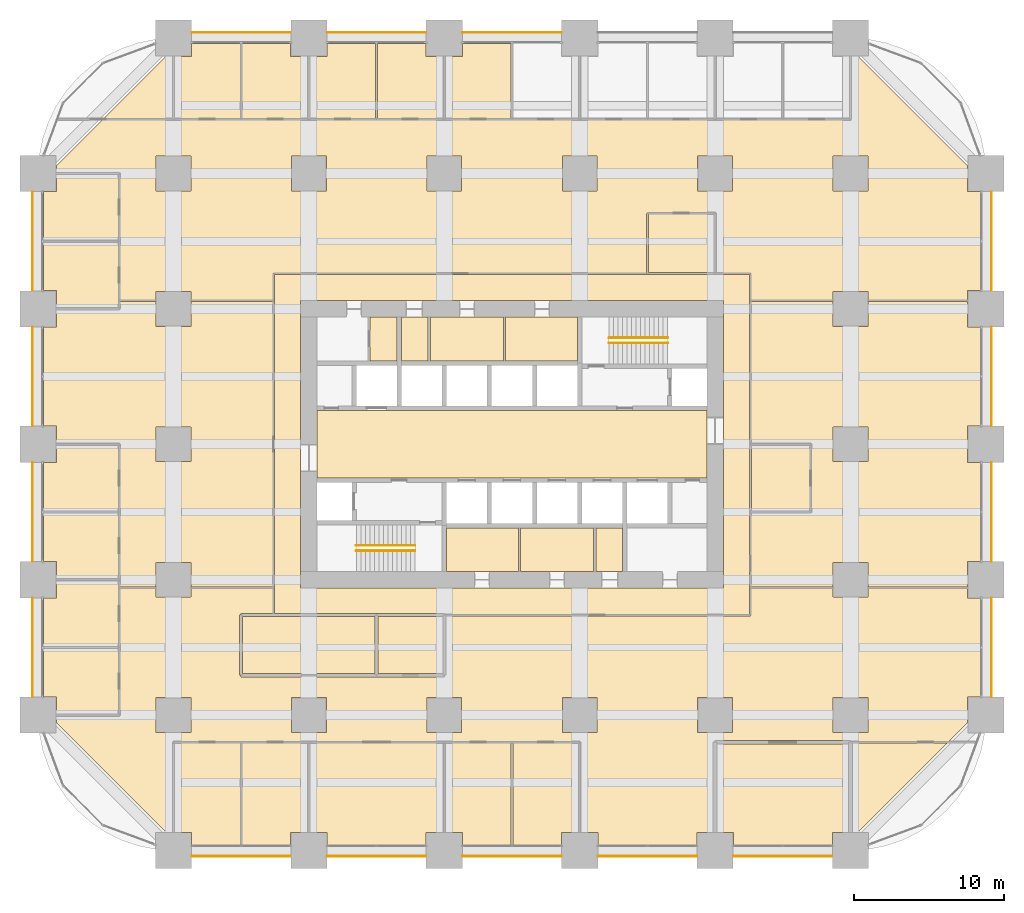
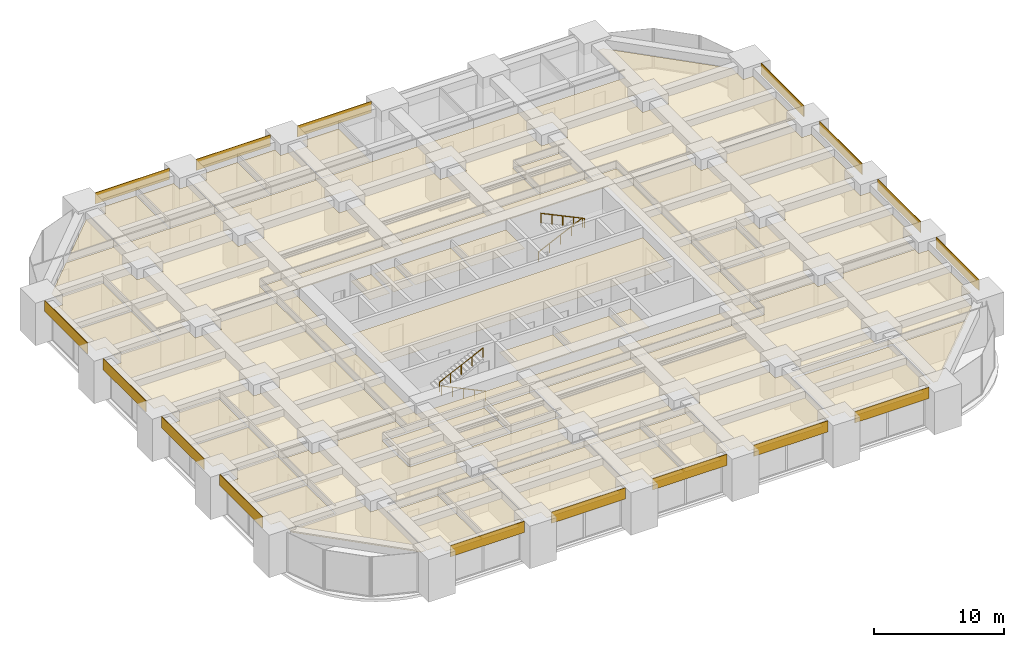
# One storey, part 43 of 44: 52 coverings, 4 railings.
"""IFC4 building model written with IfcOpenShell, lengths in metres."""

from ifc_helpers import new_model, si_unit, direction, frame, frame_2d, origin, origin_2d, place, context, subcontext, project, spatial, polyline, rectangle, circle, outline, extrude, material, layer, layer_set, type_object, element, save


model = new_model("IFC4")

# Units and contexts
model_context = context("Model", 3, precision=1e-05, world=origin(), true_north=direction((0.0, 1.0)))
body_context = subcontext(model_context, "Body", "Model", "MODEL_VIEW")
ifc_project = project(units=[si_unit("LENGTHUNIT", "METRE"), si_unit("AREAUNIT", "SQUARE_METRE"), si_unit("VOLUMEUNIT", "CUBIC_METRE"), si_unit("PLANEANGLEUNIT", "RADIAN"), si_unit("MASSUNIT", "GRAM", prefix="KILO")], contexts=[model_context])

# Site, building, storey
site_placement = place(None, origin())
site = spatial("IfcSite", under=ifc_project, at=site_placement, CompositionType="ELEMENT")
building_placement = place(site_placement, origin())
building = spatial("IfcBuilding", under=site, at=building_placement, Name="Zorevar Civic Tower", CompositionType="ELEMENT")
storey_placement = place(building_placement, frame((0.0, 0.0, 35.800048828125)))
storey = spatial("IfcBuildingStorey", under=building, at=storey_placement, Name="L08", CompositionType="ELEMENT", Elevation=35.800048828125)

# Railings
ifc_material_1 = material(Name="Black steel handrail", Category="steel")
railing_type = type_object("IfcRailingType", Name="Handrail HR1 900", PredefinedType="HANDRAIL", material=ifc_material_1)
railing_1_placement = place(storey_placement, frame((25.050048828125, 19.925048828125, 0.142822265625)))
element("IfcRailing", 1, at=railing_1_placement, inside=storey, type_object=railing_type, Name="Handrail HR1 ST1 L08", PredefinedType="HANDRAIL", context=body_context, shape_type="SweptSolid", body=[
    extrude(circle(Radius=0.02392578125, at=origin_2d()), frame((0.0, 0.0, 0.8759765625), z_axis=(-0.902863652845, 0.0, 0.429926998885), x_axis=(0.0, -1.0, 0.0)), (0.0, 0.0, 1.0), 4.31982421875),
    extrude(circle(Radius=0.02099609375, at=origin_2d()), origin(), (0.0, 0.0, 1.0), 0.851806640625),
    extrude(circle(Radius=0.02099609375, at=origin_2d()), frame((-0.97509765625, 0.0, 0.46435546875)), (0.0, 0.0, 1.0), 0.851806640625),
    extrude(circle(Radius=0.02099609375, at=origin_2d()), frame((-1.9501953125, 0.0, 0.9287109375)), (0.0, 0.0, 1.0), 0.851806640625),
    extrude(circle(Radius=0.02099609375, at=origin_2d()), frame((-2.925048828125, 0.0, 1.392822265625)), (0.0, 0.0, 1.0), 0.851806640625),
    extrude(circle(Radius=0.02099609375, at=origin_2d()), frame((-3.900146484375, 0.0, 1.857177734375)), (0.0, 0.0, 1.0), 0.851806640625),
])
for number, where, name in (
    (2, (21.14990234375, 20.27490234375, 2.142822265625), "Handrail HR1 ST1 L08"),
    (3, (37.949951171875, 34.074951171875, 0.142822265625), "Handrail HR1 ST2 L08"),
):
    element("IfcRailing", number, at=place(storey_placement, frame(where)), inside=storey, type_object=railing_type, Name=name, PredefinedType="HANDRAIL", context=body_context, shape_type="SweptSolid", body=[
        extrude(circle(Radius=0.02392578125, at=origin_2d()), frame((0.0, 0.0, 0.8759765625), z_axis=(0.902863652845, 0.0, 0.429926998885), x_axis=(0.0, 1.0, 0.0)), (0.0, 0.0, 1.0), 4.31982421875),
        extrude(circle(Radius=0.02099609375, at=origin_2d()), origin(), (0.0, 0.0, 1.0), 0.851806640625),
        extrude(circle(Radius=0.02099609375, at=origin_2d()), frame((0.97509765625, 0.0, 0.46435546875)), (0.0, 0.0, 1.0), 0.851806640625),
        extrude(circle(Radius=0.02099609375, at=origin_2d()), frame((1.9501953125, 0.0, 0.9287109375)), (0.0, 0.0, 1.0), 0.851806640625),
        extrude(circle(Radius=0.02099609375, at=origin_2d()), frame((2.925048828125, 0.0, 1.392822265625)), (0.0, 0.0, 1.0), 0.851806640625),
        extrude(circle(Radius=0.02099609375, at=origin_2d()), frame((3.900146484375, 0.0, 1.857177734375)), (0.0, 0.0, 1.0), 0.851806640625),
    ])
railing_2_placement = place(storey_placement, frame((41.85009765625, 33.72509765625, 2.142822265625)))
element("IfcRailing", 4, at=railing_2_placement, inside=storey, type_object=railing_type, Name="Handrail HR1 ST2 L08", PredefinedType="HANDRAIL", context=body_context, shape_type="SweptSolid", body=[
    extrude(circle(Radius=0.02392578125, at=origin_2d()), frame((0.0, 0.0, 0.8759765625), z_axis=(-0.902863652845, 0.0, 0.429926998885), x_axis=(0.0, -1.0, 0.0)), (0.0, 0.0, 1.0), 4.31982421875),
    extrude(circle(Radius=0.02099609375, at=origin_2d()), origin(), (0.0, 0.0, 1.0), 0.851806640625),
    extrude(circle(Radius=0.02099609375, at=origin_2d()), frame((-0.97509765625, 0.0, 0.46435546875)), (0.0, 0.0, 1.0), 0.851806640625),
    extrude(circle(Radius=0.02099609375, at=origin_2d()), frame((-1.9501953125, 0.0, 0.9287109375)), (0.0, 0.0, 1.0), 0.851806640625),
    extrude(circle(Radius=0.02099609375, at=origin_2d()), frame((-2.925048828125, 0.0, 1.392822265625)), (0.0, 0.0, 1.0), 0.851806640625),
    extrude(circle(Radius=0.02099609375, at=origin_2d()), frame((-3.900146484375, 0.0, 1.857177734375)), (0.0, 0.0, 1.0), 0.851806640625),
])

# Coverings
ifc_material_2 = material(Name="Moisture-resistant gypsum board")
ifc_layer_1 = layer(ifc_material_2, 0.012451171875)
ifc_layer_set_1 = layer_set([ifc_layer_1], Name="Moisture-resistant ceiling SC3")
covering_type_1 = type_object("IfcCoveringType", Name="Moisture-resistant ceiling SC3", PredefinedType="CEILING", material=ifc_layer_set_1)
covering_1_placement = place(storey_placement, frame((0.0, 0.0, 3.0)))
element("IfcCovering", 5, at=covering_1_placement, inside=storey, type_object=covering_type_1, Name="Ceiling L08-05", PredefinedType="CEILING", context=body_context, shape_type="SweptSolid", body=[
    extrude(outline(polyline([(31.925048828125, 18.550048828125), (31.925048828125, 21.449951171875), (27.14990234375, 21.449951171875), (27.14990234375, 18.550048828125), (31.925048828125, 18.550048828125)])), origin(), (0.0, 0.0, 1.0), 0.012451171875),
])
covering_2_placement = place(storey_placement, frame((0.0, 0.0, 3.0)))
element("IfcCovering", 6, at=covering_2_placement, inside=storey, type_object=covering_type_1, Name="Ceiling L08-06", PredefinedType="CEILING", context=body_context, shape_type="SweptSolid", body=[
    extrude(outline(polyline([(36.925048828125, 18.550048828125), (36.925048828125, 21.449951171875), (32.074951171875, 21.449951171875), (32.074951171875, 18.550048828125), (36.925048828125, 18.550048828125)])), origin(), (0.0, 0.0, 1.0), 0.012451171875),
])
covering_3_placement = place(storey_placement, frame((0.0, 0.0, 3.0)))
element("IfcCovering", 7, at=covering_3_placement, inside=storey, type_object=covering_type_1, Name="Ceiling L08-07", PredefinedType="CEILING", context=body_context, shape_type="SweptSolid", body=[
    extrude(outline(polyline([(38.85009765625, 18.550048828125), (38.85009765625, 21.449951171875), (37.074951171875, 21.449951171875), (37.074951171875, 18.550048828125), (38.85009765625, 18.550048828125)])), origin(), (0.0, 0.0, 1.0), 0.012451171875),
])
covering_4_placement = place(storey_placement, frame((0.0, 0.0, 3.0)))
element("IfcCovering", 8, at=covering_4_placement, inside=storey, type_object=covering_type_1, Name="Ceiling L08-08", PredefinedType="CEILING", context=body_context, shape_type="SweptSolid", body=[
    extrude(outline(polyline([(35.85009765625, 32.550048828125), (35.85009765625, 35.449951171875), (31.074951171875, 35.449951171875), (31.074951171875, 32.550048828125), (35.85009765625, 32.550048828125)])), origin(), (0.0, 0.0, 1.0), 0.012451171875),
])
covering_5_placement = place(storey_placement, frame((0.0, 0.0, 3.0)))
element("IfcCovering", 9, at=covering_5_placement, inside=storey, type_object=covering_type_1, Name="Ceiling L08-09", PredefinedType="CEILING", context=body_context, shape_type="SweptSolid", body=[
    extrude(outline(polyline([(30.925048828125, 32.550048828125), (30.925048828125, 35.449951171875), (26.074951171875, 35.449951171875), (26.074951171875, 32.550048828125), (30.925048828125, 32.550048828125)])), origin(), (0.0, 0.0, 1.0), 0.012451171875),
])
covering_6_placement = place(storey_placement, frame((0.0, 0.0, 3.0)))
element("IfcCovering", 10, at=covering_6_placement, inside=storey, type_object=covering_type_1, Name="Ceiling L08-10", PredefinedType="CEILING", context=body_context, shape_type="SweptSolid", body=[
    extrude(outline(polyline([(25.925048828125, 32.550048828125), (25.925048828125, 35.449951171875), (24.14990234375, 35.449951171875), (24.14990234375, 32.550048828125), (25.925048828125, 32.550048828125)])), origin(), (0.0, 0.0, 1.0), 0.012451171875),
])
ifc_material_3 = material(Name="Black anodised aluminium spandrel panel", Category="aluminium")
ifc_layer_2 = layer(ifc_material_3, 0.050048828125)
ifc_layer_set_2 = layer_set([ifc_layer_2], Name="Spandrel cladding SP1")
covering_type_2 = type_object("IfcCoveringType", Name="Spandrel cladding SP1", PredefinedType="CLADDING", material=ifc_layer_set_2)
for number, where, z_axis, x_axis, name in (
    (11, (10.199951171875, -0.375, 2.949951171875), (0.0, 0.0, 1.0), (1.0, 0.0, 0.0), "Spandrel cladding L09"),
    (12, (19.199951171875, -0.375, 2.949951171875), (0.0, 0.0, 1.0), (1.0, 0.0, 0.0), "Spandrel cladding L09"),
    (13, (28.199951171875, -0.375, 2.949951171875), (0.0, 0.0, 1.0), (1.0, 0.0, 0.0), "Spandrel cladding L09"),
    (14, (37.199951171875, -0.375, 2.949951171875), (0.0, 0.0, 1.0), (1.0, 0.0, 0.0), "Spandrel cladding L09"),
    (15, (46.199951171875, -0.375, 2.949951171875), (0.0, 0.0, 1.0), (1.0, 0.0, 0.0), "Spandrel cladding L09"),
    (16, (10.199951171875, 54.375, 2.949951171875), (0.0, 0.0, 1.0), (1.0, 0.0, 0.0), "Spandrel cladding L09"),
    (17, (19.199951171875, 54.375, 2.949951171875), (0.0, 0.0, 1.0), (1.0, 0.0, 0.0), "Spandrel cladding L09"),
    (18, (28.199951171875, 54.375, 2.949951171875), (0.0, 0.0, 1.0), (1.0, 0.0, 0.0), "Spandrel cladding L09"),
    (19, (-0.375, 10.199951171875, 2.949951171875), (0.0, 0.0, 1.0), (0.0, 1.0, 0.0), "Spandrel cladding L09"),
    (20, (-0.375, 19.199951171875, 2.949951171875), (0.0, 0.0, 1.0), (0.0, 1.0, 0.0), "Spandrel cladding L09"),
    (21, (-0.375, 28.199951171875, 2.949951171875), (0.0, 0.0, 1.0), (0.0, 1.0, 0.0), "Spandrel cladding L09"),
    (22, (-0.375, 37.199951171875, 2.949951171875), (0.0, 0.0, 1.0), (0.0, 1.0, 0.0), "Spandrel cladding L09"),
    (23, (63.375, 10.199951171875, 2.949951171875), (0.0, 0.0, 1.0), (0.0, 1.0, 0.0), "Spandrel cladding L09"),
    (24, (63.375, 19.199951171875, 2.949951171875), (0.0, 0.0, 1.0), (0.0, 1.0, 0.0), "Spandrel cladding L09"),
    (25, (63.375, 28.199951171875, 2.949951171875), (0.0, 0.0, 1.0), (0.0, 1.0, 0.0), "Spandrel cladding L09"),
    (26, (63.375, 37.199951171875, 2.949951171875), (0.0, 0.0, 1.0), (0.0, 1.0, 0.0), "Spandrel cladding L09"),
):
    element("IfcCovering", number, at=place(storey_placement, frame(where, z_axis=z_axis, x_axis=x_axis)), inside=storey, type_object=covering_type_2, Name=name, PredefinedType="CLADDING", context=body_context, shape_type="SweptSolid", body=[
        extrude(rectangle(XDim=6.60009765625, YDim=0.050048828125, at=frame_2d((3.300048828125, 0.0))), origin(), (0.0, 0.0, 1.0), 1.050048828125),
    ])
ifc_material_4 = material(Name="Mineral fibre tiles on a concealed grid")
ifc_layer_3 = layer(ifc_material_4, 0.02001953125)
ifc_layer_set_3 = layer_set([ifc_layer_3], Name="Suspended ceiling SC1")
covering_type_3 = type_object("IfcCoveringType", Name="Suspended ceiling SC1", PredefinedType="CEILING", material=ifc_layer_set_3)
covering_7_placement = place(storey_placement, frame((0.0, 0.0, 3.0)))
element("IfcCovering", 27, at=covering_7_placement, inside=storey, type_object=covering_type_3, Name="Ceiling L08-12", PredefinedType="CEILING", context=body_context, shape_type="SweptSolid", body=[
    extrude(outline(polyline([(23.85009765625, 32.550048828125), (23.85009765625, 35.449951171875), (22.06005859375, 35.449951171875), (22.06005859375, 32.550048828125), (23.85009765625, 32.550048828125)])), origin(), (0.0, 0.0, 1.0), 0.02001953125),
])
covering_8_placement = place(storey_placement, frame((0.0, 0.0, 3.0)))
element("IfcCovering", 28, at=covering_8_placement, inside=storey, type_object=covering_type_3, Name="Ceiling L08-16", PredefinedType="CEILING", context=body_context, shape_type="SweptSolid", body=[
    extrude(outline(polyline([(44.449951171875, 24.75), (44.449951171875, 29.25), (18.550048828125, 29.25), (18.550048828125, 24.75), (44.449951171875, 24.75)])), origin(), (0.0, 0.0, 1.0), 0.02001953125),
])
covering_9_placement = place(storey_placement, frame((0.0, 0.0, 3.0)))
element("IfcCovering", 29, at=covering_9_placement, inside=storey, type_object=covering_type_3, Name="Ceiling L08-17", PredefinedType="CEILING", context=body_context, shape_type="SweptSolid", body=[
    extrude(outline(polyline([(13.43994140625, 7.139892578125), (13.43994140625, 0.35009765625), (10.2099609375, 0.35009765625), (10.2099609375, 1.2099609375), (9.06005859375, 1.2099609375), (9.06005859375, 7.139892578125), (13.43994140625, 7.139892578125)])), origin(), (0.0, 0.0, 1.0), 0.02001953125),
])
covering_10_placement = place(storey_placement, frame((0.0, 0.0, 3.0)))
element("IfcCovering", 30, at=covering_10_placement, inside=storey, type_object=covering_type_3, Name="Ceiling L08-18", PredefinedType="CEILING", context=body_context, shape_type="SweptSolid", body=[
    extrude(outline(polyline([(17.93994140625, 7.139892578125), (17.93994140625, 1.2099609375), (16.7900390625, 1.2099609375), (16.7900390625, 0.35009765625), (13.56005859375, 0.35009765625), (13.56005859375, 7.139892578125), (17.93994140625, 7.139892578125)])), origin(), (0.0, 0.0, 1.0), 0.02001953125),
])
covering_11_placement = place(storey_placement, frame((0.0, 0.0, 3.0)))
element("IfcCovering", 31, at=covering_11_placement, inside=storey, type_object=covering_type_3, Name="Ceiling L08-19", PredefinedType="CEILING", context=body_context, shape_type="SweptSolid", body=[
    extrude(outline(polyline([(19.2099609375, 0.35009765625), (19.2099609375, 1.2099609375), (18.06005859375, 1.2099609375), (18.06005859375, 7.139892578125), (26.93994140625, 7.139892578125), (26.93994140625, 1.2099609375), (25.7900390625, 1.2099609375), (25.7900390625, 0.35009765625), (19.2099609375, 0.35009765625)])), origin(), (0.0, 0.0, 1.0), 0.02001953125),
])
covering_12_placement = place(storey_placement, frame((0.0, 0.0, 3.0)))
element("IfcCovering", 32, at=covering_12_placement, inside=storey, type_object=covering_type_3, Name="Ceiling L08-20", PredefinedType="CEILING", context=body_context, shape_type="SweptSolid", body=[
    extrude(outline(polyline([(31.43994140625, 7.139892578125), (31.43994140625, 0.35009765625), (28.2099609375, 0.35009765625), (28.2099609375, 1.2099609375), (27.06005859375, 1.2099609375), (27.06005859375, 7.139892578125), (31.43994140625, 7.139892578125)])), origin(), (0.0, 0.0, 1.0), 0.02001953125),
])
covering_13_placement = place(storey_placement, frame((0.0, 0.0, 3.0)))
element("IfcCovering", 33, at=covering_13_placement, inside=storey, type_object=covering_type_3, Name="Ceiling L08-21", PredefinedType="CEILING", context=body_context, shape_type="SweptSolid", body=[
    extrude(outline(polyline([(35.93994140625, 7.139892578125), (35.93994140625, 1.2099609375), (34.7900390625, 1.2099609375), (34.7900390625, 0.35009765625), (31.56005859375, 0.35009765625), (31.56005859375, 7.139892578125), (35.93994140625, 7.139892578125)])), origin(), (0.0, 0.0, 1.0), 0.02001953125),
])
covering_14_placement = place(storey_placement, frame((0.0, 0.0, 3.0)))
element("IfcCovering", 34, at=covering_14_placement, inside=storey, type_object=covering_type_3, Name="Ceiling L08-22", PredefinedType="CEILING", context=body_context, shape_type="SweptSolid", body=[
    extrude(outline(polyline([(46.2099609375, 0.35009765625), (46.2099609375, 1.2099609375), (45.125, 1.2099609375), (45.125, 7.074951171875), (53.875, 7.074951171875), (53.875, 1.2099609375), (52.7900390625, 1.2099609375), (52.7900390625, 0.35009765625), (46.2099609375, 0.35009765625)])), origin(), (0.0, 0.0, 1.0), 0.02001953125),
])
covering_15_placement = place(storey_placement, frame((0.0, 0.0, 3.0)))
element("IfcCovering", 35, at=covering_15_placement, inside=storey, type_object=covering_type_3, Name="Ceiling L08-23", PredefinedType="CEILING", context=body_context, shape_type="SweptSolid", body=[
    extrude(outline(polyline([(13.60009765625, 11.75), (13.60009765625, 15.550048828125), (22.39990234375, 15.550048828125), (22.39990234375, 11.75), (13.60009765625, 11.75)])), origin(), (0.0, 0.0, 1.0), 0.02001953125),
])
covering_16_placement = place(storey_placement, frame((0.0, 0.0, 3.0)))
element("IfcCovering", 36, at=covering_16_placement, inside=storey, type_object=covering_type_3, Name="Ceiling L08-24", PredefinedType="CEILING", context=body_context, shape_type="SweptSolid", body=[
    extrude(outline(polyline([(22.60009765625, 11.75), (22.60009765625, 15.550048828125), (26.89990234375, 15.550048828125), (26.89990234375, 11.75), (22.60009765625, 11.75)])), origin(), (0.0, 0.0, 1.0), 0.02001953125),
])
covering_17_placement = place(storey_placement, frame((0.0, 0.0, 3.0)))
element("IfcCovering", 37, at=covering_17_placement, inside=storey, type_object=covering_type_3, Name="Ceiling L08-25", PredefinedType="CEILING", context=body_context, shape_type="SweptSolid", body=[
    extrude(outline(polyline([(5.340087890625, 9.06005859375), (1.2099609375, 9.06005859375), (1.2099609375, 10.2099609375), (0.35009765625, 10.2099609375), (0.35009765625, 13.43994140625), (5.340087890625, 13.43994140625), (5.340087890625, 9.06005859375)])), origin(), (0.0, 0.0, 1.0), 0.02001953125),
])
covering_18_placement = place(storey_placement, frame((0.0, 0.0, 3.0)))
element("IfcCovering", 38, at=covering_18_placement, inside=storey, type_object=covering_type_3, Name="Ceiling L08-26", PredefinedType="CEILING", context=body_context, shape_type="SweptSolid", body=[
    extrude(outline(polyline([(5.340087890625, 13.56005859375), (0.35009765625, 13.56005859375), (0.35009765625, 16.7900390625), (1.2099609375, 16.7900390625), (1.2099609375, 17.93994140625), (5.340087890625, 17.93994140625), (5.340087890625, 13.56005859375)])), origin(), (0.0, 0.0, 1.0), 0.02001953125),
])
covering_19_placement = place(storey_placement, frame((0.0, 0.0, 3.0)))
element("IfcCovering", 39, at=covering_19_placement, inside=storey, type_object=covering_type_3, Name="Ceiling L08-27", PredefinedType="CEILING", context=body_context, shape_type="SweptSolid", body=[
    extrude(outline(polyline([(5.340087890625, 18.06005859375), (1.2099609375, 18.06005859375), (1.2099609375, 19.2099609375), (0.35009765625, 19.2099609375), (0.35009765625, 22.43994140625), (5.340087890625, 22.43994140625), (5.340087890625, 18.06005859375)])), origin(), (0.0, 0.0, 1.0), 0.02001953125),
])
covering_20_placement = place(storey_placement, frame((0.0, 0.0, 3.0)))
element("IfcCovering", 40, at=covering_20_placement, inside=storey, type_object=covering_type_3, Name="Ceiling L08-28", PredefinedType="CEILING", context=body_context, shape_type="SweptSolid", body=[
    extrude(outline(polyline([(5.340087890625, 22.56005859375), (0.35009765625, 22.56005859375), (0.35009765625, 25.7900390625), (1.2099609375, 25.7900390625), (1.2099609375, 26.93994140625), (5.340087890625, 26.93994140625), (5.340087890625, 22.56005859375)])), origin(), (0.0, 0.0, 1.0), 0.02001953125),
])
covering_21_placement = place(storey_placement, frame((0.0, 0.0, 3.0)))
element("IfcCovering", 41, at=covering_21_placement, inside=storey, type_object=covering_type_3, Name="Ceiling L08-29", PredefinedType="CEILING", context=body_context, shape_type="SweptSolid", body=[
    extrude(outline(polyline([(5.340087890625, 36.06005859375), (1.2099609375, 36.06005859375), (1.2099609375, 37.2099609375), (0.35009765625, 37.2099609375), (0.35009765625, 40.43994140625), (5.340087890625, 40.43994140625), (5.340087890625, 36.06005859375)])), origin(), (0.0, 0.0, 1.0), 0.02001953125),
])
covering_22_placement = place(storey_placement, frame((0.0, 0.0, 3.0)))
element("IfcCovering", 42, at=covering_22_placement, inside=storey, type_object=covering_type_3, Name="Ceiling L08-30", PredefinedType="CEILING", context=body_context, shape_type="SweptSolid", body=[
    extrude(outline(polyline([(5.340087890625, 40.56005859375), (0.35009765625, 40.56005859375), (0.35009765625, 43.7900390625), (1.2099609375, 43.7900390625), (1.2099609375, 44.93994140625), (5.340087890625, 44.93994140625), (5.340087890625, 40.56005859375)])), origin(), (0.0, 0.0, 1.0), 0.02001953125),
])
covering_23_placement = place(storey_placement, frame((0.0, 0.0, 3.0)))
element("IfcCovering", 43, at=covering_23_placement, inside=storey, type_object=covering_type_3, Name="Ceiling L08-31", PredefinedType="CEILING", context=body_context, shape_type="SweptSolid", body=[
    extrude(outline(polyline([(9.06005859375, 48.659912109375), (9.06005859375, 52.7900390625), (10.2099609375, 52.7900390625), (10.2099609375, 53.64990234375), (13.43994140625, 53.64990234375), (13.43994140625, 48.659912109375), (9.06005859375, 48.659912109375)])), origin(), (0.0, 0.0, 1.0), 0.02001953125),
])
covering_24_placement = place(storey_placement, frame((0.0, 0.0, 3.0)))
element("IfcCovering", 44, at=covering_24_placement, inside=storey, type_object=covering_type_3, Name="Ceiling L08-32", PredefinedType="CEILING", context=body_context, shape_type="SweptSolid", body=[
    extrude(outline(polyline([(13.56005859375, 48.659912109375), (13.56005859375, 53.64990234375), (16.7900390625, 53.64990234375), (16.7900390625, 52.7900390625), (17.93994140625, 52.7900390625), (17.93994140625, 48.659912109375), (13.56005859375, 48.659912109375)])), origin(), (0.0, 0.0, 1.0), 0.02001953125),
])
covering_25_placement = place(storey_placement, frame((0.0, 0.0, 3.0)))
element("IfcCovering", 45, at=covering_25_placement, inside=storey, type_object=covering_type_3, Name="Ceiling L08-33", PredefinedType="CEILING", context=body_context, shape_type="SweptSolid", body=[
    extrude(outline(polyline([(18.06005859375, 48.659912109375), (18.06005859375, 52.7900390625), (19.2099609375, 52.7900390625), (19.2099609375, 53.64990234375), (22.43994140625, 53.64990234375), (22.43994140625, 48.659912109375), (18.06005859375, 48.659912109375)])), origin(), (0.0, 0.0, 1.0), 0.02001953125),
])
covering_26_placement = place(storey_placement, frame((0.0, 0.0, 3.0)))
element("IfcCovering", 46, at=covering_26_placement, inside=storey, type_object=covering_type_3, Name="Ceiling L08-34", PredefinedType="CEILING", context=body_context, shape_type="SweptSolid", body=[
    extrude(outline(polyline([(22.56005859375, 48.659912109375), (22.56005859375, 53.64990234375), (25.7900390625, 53.64990234375), (25.7900390625, 52.7900390625), (26.93994140625, 52.7900390625), (26.93994140625, 48.659912109375), (22.56005859375, 48.659912109375)])), origin(), (0.0, 0.0, 1.0), 0.02001953125),
])
covering_27_placement = place(storey_placement, frame((0.0, 0.0, 3.0)))
element("IfcCovering", 47, at=covering_27_placement, inside=storey, type_object=covering_type_3, Name="Ceiling L08-35", PredefinedType="CEILING", context=body_context, shape_type="SweptSolid", body=[
    extrude(outline(polyline([(27.06005859375, 48.659912109375), (27.06005859375, 52.7900390625), (28.2099609375, 52.7900390625), (28.2099609375, 53.64990234375), (31.43994140625, 53.64990234375), (31.43994140625, 48.659912109375), (27.06005859375, 48.659912109375)])), origin(), (0.0, 0.0, 1.0), 0.02001953125),
])
covering_28_placement = place(storey_placement, frame((0.0, 0.0, 3.0)))
element("IfcCovering", 48, at=covering_28_placement, inside=storey, type_object=covering_type_3, Name="Ceiling L08-41", PredefinedType="CEILING", context=body_context, shape_type="SweptSolid", body=[
    extrude(outline(polyline([(44.93994140625, 38.409912109375), (40.56005859375, 38.409912109375), (40.56005859375, 42.2900390625), (44.93994140625, 42.2900390625), (44.93994140625, 38.409912109375)])), origin(), (0.0, 0.0, 1.0), 0.02001953125),
])
covering_29_placement = place(storey_placement, frame((0.0, 0.0, 3.0)))
element("IfcCovering", 49, at=covering_29_placement, inside=storey, type_object=covering_type_3, Name="Ceiling L08-42", PredefinedType="CEILING", context=body_context, shape_type="SweptSolid", body=[
    extrude(outline(polyline([(47.409912109375, 22.56005859375), (47.409912109375, 26.93994140625), (51.2900390625, 26.93994140625), (51.2900390625, 22.56005859375), (47.409912109375, 22.56005859375)])), origin(), (0.0, 0.0, 1.0), 0.02001953125),
])
covering_30_placement = place(storey_placement, frame((0.0, 0.0, 3.0)))
element("IfcCovering", 50, at=covering_30_placement, inside=storey, type_object=covering_type_3, Name="Ceiling L08-43", PredefinedType="CEILING", context=body_context, shape_type="SweptSolid", body=[
    extrude(outline(polyline([(8.93994140625, 52.7900390625), (8.93994140625, 48.659912109375), (4.3671875, 48.659912109375), (8.4970703125, 52.7900390625), (8.93994140625, 52.7900390625)])), origin(), (0.0, 0.0, 1.0), 0.02001953125),
])
covering_31_placement = place(storey_placement, frame((0.0, 0.0, 3.0)))
element("IfcCovering", 51, at=covering_31_placement, inside=storey, type_object=covering_type_3, Name="Ceiling L08-44", PredefinedType="CEILING", context=body_context, shape_type="SweptSolid", body=[
    extrude(outline(polyline([(54.125, 1.2099609375), (54.125, 7.14990234375), (60.44287109375, 7.14990234375), (54.5029296875, 1.2099609375), (54.125, 1.2099609375)])), origin(), (0.0, 0.0, 1.0), 0.02001953125),
])
covering_32_placement = place(storey_placement, frame((0.0, 0.0, 3.0)))
element("IfcCovering", 52, at=covering_32_placement, inside=storey, type_object=covering_type_3, Name="Ceiling L08-45", PredefinedType="CEILING", context=body_context, shape_type="SweptSolid", body=[
    extrude(outline(polyline([(15.699951171875, 38.300048828125), (40.5, 38.300048828125), (40.5, 38.2900390625), (45.0, 38.2900390625), (45.0, 38.300048828125), (47.300048828125, 38.300048828125), (47.300048828125, 27.0), (47.2900390625, 27.0), (47.2900390625, 22.5), (47.300048828125, 22.5), (47.300048828125, 15.699951171875), (27.0, 15.699951171875), (27.0, 15.75), (15.699951171875, 15.75), (15.699951171875, 38.300048828125)]), holes=[polyline([(45.550048828125, 17.449951171875), (45.550048828125, 36.550048828125), (17.449951171875, 36.550048828125), (17.449951171875, 17.449951171875), (45.550048828125, 17.449951171875)])]), origin(), (0.0, 0.0, 1.0), 0.02001953125),
])
covering_33_placement = place(storey_placement, frame((0.0, 0.0, 3.0)))
element("IfcCovering", 53, at=covering_33_placement, inside=storey, type_object=covering_type_3, Name="Ceiling L08-46", PredefinedType="CEILING", context=body_context, shape_type="SweptSolid", body=[
    extrude(outline(polyline([(55.159912109375, 34.840087890625), (55.159912109375, 36.5), (61.7900390625, 36.5), (61.7900390625, 34.7900390625), (62.64990234375, 34.7900390625), (62.64990234375, 28.2099609375), (61.7900390625, 28.2099609375), (61.7900390625, 25.7900390625), (62.64990234375, 25.7900390625), (62.64990234375, 19.2099609375), (61.7900390625, 19.2099609375), (61.7900390625, 17.5), (55.159912109375, 17.5), (55.159912109375, 19.159912109375), (52.840087890625, 19.159912109375), (52.840087890625, 17.5), (47.39990234375, 17.5), (47.39990234375, 22.43994140625), (51.35009765625, 22.43994140625), (51.35009765625, 22.5), (51.409912109375, 22.5), (51.409912109375, 27.0), (51.35009765625, 27.0), (51.35009765625, 27.06005859375), (47.39990234375, 27.06005859375), (47.39990234375, 36.5), (52.840087890625, 36.5), (52.840087890625, 34.840087890625), (55.159912109375, 34.840087890625)]), holes=[polyline([(55.159912109375, 28.159912109375), (52.840087890625, 28.159912109375), (52.840087890625, 25.840087890625), (55.159912109375, 25.840087890625), (55.159912109375, 28.159912109375)])]), origin(), (0.0, 0.0, 1.0), 0.02001953125),
])
covering_34_placement = place(storey_placement, frame((0.0, 0.0, 3.0)))
element("IfcCovering", 54, at=covering_34_placement, inside=storey, type_object=covering_type_3, Name="Ceiling L08-47", PredefinedType="CEILING", context=body_context, shape_type="SweptSolid", body=[
    extrude(outline(polyline([(62.64990234375, 43.7900390625), (62.64990234375, 37.2099609375), (61.7900390625, 37.2099609375), (61.7900390625, 36.60009765625), (55.159912109375, 36.60009765625), (55.159912109375, 37.159912109375), (52.840087890625, 37.159912109375), (52.840087890625, 36.60009765625), (47.39990234375, 36.60009765625), (47.39990234375, 38.35009765625), (47.35009765625, 38.35009765625), (47.35009765625, 38.39990234375), (45.06005859375, 38.39990234375), (45.06005859375, 42.35009765625), (45.0, 42.35009765625), (45.0, 42.409912109375), (40.5, 42.409912109375), (40.5, 42.35009765625), (40.43994140625, 42.35009765625), (40.43994140625, 38.39990234375), (15.64990234375, 38.39990234375), (15.64990234375, 38.35009765625), (15.60009765625, 38.35009765625), (15.60009765625, 36.60009765625), (10.159912109375, 36.60009765625), (10.159912109375, 37.159912109375), (7.840087890625, 37.159912109375), (7.840087890625, 36.60009765625), (5.4599609375, 36.60009765625), (5.4599609375, 45.0), (5.39990234375, 45.0), (5.39990234375, 45.06005859375), (1.2099609375, 45.06005859375), (1.2099609375, 45.5029296875), (4.2470703125, 48.5400390625), (54.0, 48.5400390625), (54.0, 48.60009765625), (54.06005859375, 48.60009765625), (54.06005859375, 52.7900390625), (54.5029296875, 52.7900390625), (61.7900390625, 45.5029296875), (61.7900390625, 43.7900390625), (62.64990234375, 43.7900390625)]), holes=[polyline([(10.159912109375, 43.840087890625), (10.159912109375, 46.159912109375), (7.840087890625, 46.159912109375), (7.840087890625, 43.840087890625), (10.159912109375, 43.840087890625)]), polyline([(16.840087890625, 43.840087890625), (19.159912109375, 43.840087890625), (19.159912109375, 46.159912109375), (16.840087890625, 46.159912109375), (16.840087890625, 43.840087890625)]), polyline([(25.840087890625, 46.159912109375), (25.840087890625, 43.840087890625), (28.159912109375, 43.840087890625), (28.159912109375, 46.159912109375), (25.840087890625, 46.159912109375)]), polyline([(37.159912109375, 46.159912109375), (34.840087890625, 46.159912109375), (34.840087890625, 43.840087890625), (37.159912109375, 43.840087890625), (37.159912109375, 46.159912109375)]), polyline([(46.159912109375, 43.840087890625), (46.159912109375, 46.159912109375), (43.840087890625, 46.159912109375), (43.840087890625, 43.840087890625), (46.159912109375, 43.840087890625)]), polyline([(52.840087890625, 46.159912109375), (52.840087890625, 43.840087890625), (55.159912109375, 43.840087890625), (55.159912109375, 46.159912109375), (52.840087890625, 46.159912109375)])]), origin(), (0.0, 0.0, 1.0), 0.02001953125),
])
covering_35_placement = place(storey_placement, frame((0.0, 0.0, 3.0)))
element("IfcCovering", 55, at=covering_35_placement, inside=storey, type_object=covering_type_3, Name="Ceiling L08-48", PredefinedType="CEILING", context=body_context, shape_type="SweptSolid", body=[
    extrude(outline(polyline([(7.840087890625, 16.840087890625), (10.159912109375, 16.840087890625), (10.159912109375, 17.39990234375), (15.60009765625, 17.39990234375), (15.60009765625, 15.75), (13.5, 15.75), (13.5, 15.64990234375), (13.39990234375, 15.64990234375), (13.39990234375, 11.64990234375), (13.5, 11.64990234375), (13.5, 11.550048828125), (27.0, 11.550048828125), (27.0, 11.64990234375), (27.10009765625, 11.64990234375), (27.10009765625, 15.60009765625), (47.35009765625, 15.60009765625), (47.35009765625, 15.64990234375), (47.39990234375, 15.64990234375), (47.39990234375, 17.39990234375), (52.840087890625, 17.39990234375), (52.840087890625, 16.840087890625), (55.159912109375, 16.840087890625), (55.159912109375, 17.39990234375), (61.7900390625, 17.39990234375), (61.7900390625, 16.7900390625), (62.64990234375, 16.7900390625), (62.64990234375, 10.2099609375), (61.7900390625, 10.2099609375), (61.7900390625, 8.4970703125), (60.54296875, 7.25), (54.0, 7.25), (54.0, 7.324951171875), (45.0, 7.324951171875), (45.0, 7.199951171875), (44.875, 7.199951171875), (44.875, 1.2099609375), (43.7900390625, 1.2099609375), (43.7900390625, 0.35009765625), (37.2099609375, 0.35009765625), (37.2099609375, 1.2099609375), (36.06005859375, 1.2099609375), (36.06005859375, 7.199951171875), (36.0, 7.199951171875), (36.0, 7.260009765625), (9.0, 7.260009765625), (9.0, 7.199951171875), (8.93994140625, 7.199951171875), (8.93994140625, 1.2099609375), (8.4970703125, 1.2099609375), (1.2099609375, 8.4970703125), (1.2099609375, 8.93994140625), (5.39990234375, 8.93994140625), (5.39990234375, 9.0), (5.4599609375, 9.0), (5.4599609375, 17.39990234375), (7.840087890625, 17.39990234375), (7.840087890625, 16.840087890625)]), holes=[polyline([(7.840087890625, 10.159912109375), (7.840087890625, 7.840087890625), (10.159912109375, 7.840087890625), (10.159912109375, 10.159912109375), (7.840087890625, 10.159912109375)]), polyline([(19.159912109375, 7.840087890625), (19.159912109375, 10.159912109375), (16.840087890625, 10.159912109375), (16.840087890625, 7.840087890625), (19.159912109375, 7.840087890625)]), polyline([(25.840087890625, 7.840087890625), (28.159912109375, 7.840087890625), (28.159912109375, 10.159912109375), (25.840087890625, 10.159912109375), (25.840087890625, 7.840087890625)]), polyline([(37.159912109375, 10.159912109375), (34.840087890625, 10.159912109375), (34.840087890625, 7.840087890625), (37.159912109375, 7.840087890625), (37.159912109375, 10.159912109375)]), polyline([(43.840087890625, 7.840087890625), (46.159912109375, 7.840087890625), (46.159912109375, 10.159912109375), (43.840087890625, 10.159912109375), (43.840087890625, 7.840087890625)]), polyline([(52.840087890625, 10.159912109375), (52.840087890625, 7.840087890625), (55.159912109375, 7.840087890625), (55.159912109375, 10.159912109375), (52.840087890625, 10.159912109375)])]), origin(), (0.0, 0.0, 1.0), 0.02001953125),
])
covering_36_placement = place(storey_placement, frame((0.0, 0.0, 3.0)))
element("IfcCovering", 56, at=covering_36_placement, inside=storey, type_object=covering_type_3, Name="Ceiling L08-49", PredefinedType="CEILING", context=body_context, shape_type="SweptSolid", body=[
    extrude(outline(polyline([(5.39990234375, 27.0), (5.39990234375, 27.06005859375), (1.2099609375, 27.06005859375), (1.2099609375, 28.2099609375), (0.35009765625, 28.2099609375), (0.35009765625, 34.7900390625), (1.2099609375, 34.7900390625), (1.2099609375, 35.93994140625), (5.39990234375, 35.93994140625), (5.39990234375, 36.0), (5.4599609375, 36.0), (5.4599609375, 36.5), (7.840087890625, 36.5), (7.840087890625, 34.840087890625), (10.159912109375, 34.840087890625), (10.159912109375, 36.5), (15.60009765625, 36.5), (15.60009765625, 17.5), (10.159912109375, 17.5), (10.159912109375, 19.159912109375), (7.840087890625, 19.159912109375), (7.840087890625, 17.5), (5.4599609375, 17.5), (5.4599609375, 27.0), (5.39990234375, 27.0)]), holes=[polyline([(7.840087890625, 28.159912109375), (7.840087890625, 25.840087890625), (10.159912109375, 25.840087890625), (10.159912109375, 28.159912109375), (7.840087890625, 28.159912109375)])]), origin(), (0.0, 0.0, 1.0), 0.02001953125),
])

save(model, "model.ifc")
